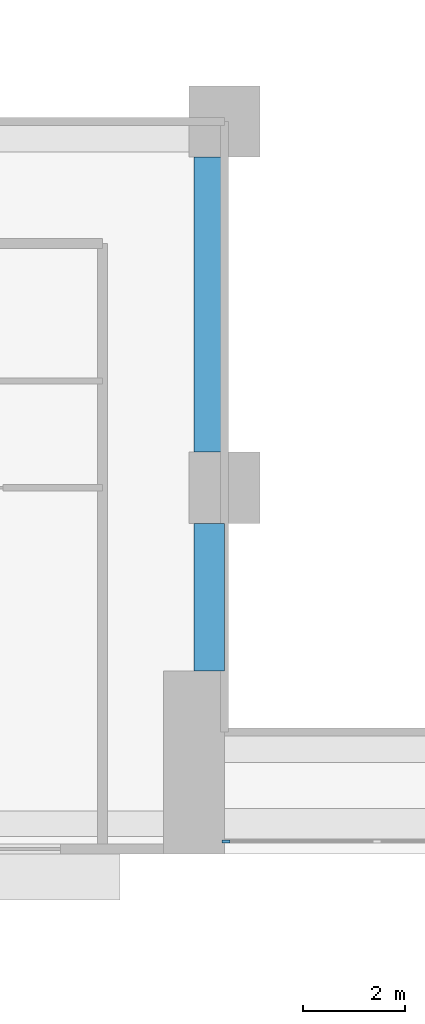
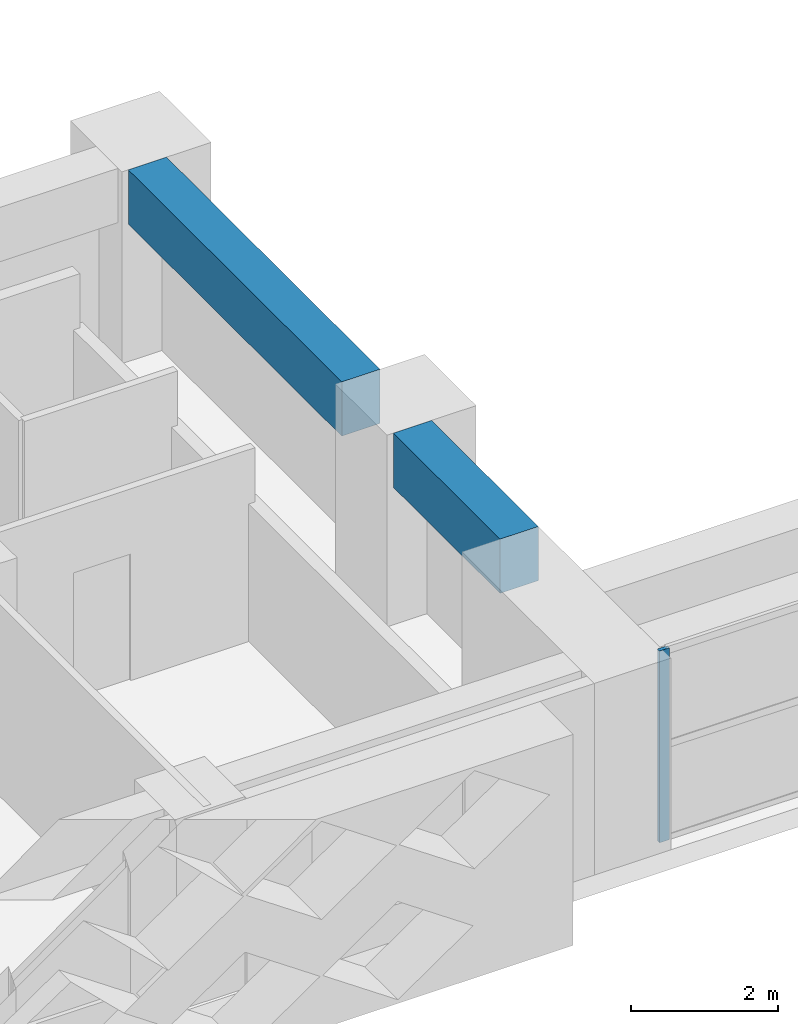
# One storey, part 2 of 16: 2 beams, 1 member, 1 element without a shape of its own.
"""IFC4 building model written with IfcOpenShell, lengths in metres."""

import ifcopenshell
import ifcopenshell.guid

model = None  # the IFC model being written
_history = None  # IfcOwnerHistory: only IFC2X3 demands one
_inside = {}  # id of a spatial element -> (the spatial element, [elements in it])
_under = {}  # id of a project, library or spatial element -> (it, [spatial elements below it])
_declared = {}  # id of a project -> (the project, [libraries it declares])
_typed = {}  # id of a type object -> (the type object, [elements of that type])
_made_of = {}  # id of a material, layer set ... -> (it, [elements and type objects made of it])


def new_model(schema):
    """Start an empty IFC model of exactly this schema.

    Asked for "IFC4X3", IfcOpenShell would pick the latest addendum, in which some entities
    have other attributes; the version numbers below select the first issue.
    IFC2X3 requires an IfcOwnerHistory on every rooted entity: one is made here for all.
    """
    global model, _history
    if schema == "IFC4X3":
        model = ifcopenshell.file(schema_version=(4, 3, 0, 0))
    else:
        model = ifcopenshell.file(schema=schema)
    _inside.clear()
    _under.clear()
    _declared.clear()
    _typed.clear()
    _made_of.clear()
    _history = None
    if model.schema == "IFC2X3":
        org = make("IfcOrganization", Name="unknown")
        user = make(
            "IfcPersonAndOrganization",
            ThePerson=make("IfcPerson", FamilyName="unknown"),
            TheOrganization=org,
        )
        app = make(
            "IfcApplication",
            ApplicationDeveloper=org,
            Version="unknown",
            ApplicationFullName="unknown",
            ApplicationIdentifier="unknown",
        )
        _history = make(
            "IfcOwnerHistory",
            OwningUser=user,
            OwningApplication=app,
            ChangeAction="ADDED",
            CreationDate=0,
        )
    return model


def make(cls, **values):
    """One entity of the class cls with the attributes given. An attribute that is None is left unset."""
    return model.create_entity(
        cls, **{name: value for name, value in values.items() if value is not None}
    )


def rooted(cls, **values):
    """An entity with a GlobalId (a new one), such as an element, a storey or a relation."""
    return make(cls, GlobalId=ifcopenshell.guid.new(), OwnerHistory=_history, **values)


def si_unit(unit_type, name, prefix=None):
    """IfcSIUnit, for example si_unit("LENGTHUNIT", "METRE", prefix="MILLI")."""
    return make("IfcSIUnit", UnitType=unit_type, Prefix=prefix, Name=name)


def assignment(units):
    """IfcUnitAssignment: the units of a project."""
    return None if units is None else make("IfcUnitAssignment", Units=units)


def point(xyz):
    """IfcCartesianPoint."""
    return None if xyz is None else make("IfcCartesianPoint", Coordinates=xyz)


def direction(xyz):
    """IfcDirection."""
    return None if xyz is None else make("IfcDirection", DirectionRatios=xyz)


def frame(location, z_axis=None, x_axis=None):
    """IfcAxis2Placement3D, a coordinate frame: its origin and axes. An axis left out is left unset."""
    return make(
        "IfcAxis2Placement3D",
        Location=point(location),
        Axis=direction(z_axis),
        RefDirection=direction(x_axis),
    )


def frame_2d(location, x_axis=None):
    """IfcAxis2Placement2D, a coordinate frame in the plane: its origin and x axis."""
    return make(
        "IfcAxis2Placement2D", Location=point(location), RefDirection=direction(x_axis)
    )


def origin():
    """The frame at (0, 0, 0) with its axes left unset."""
    return frame((0.0, 0.0, 0.0))


def origin_2d():
    """The frame at (0, 0) in the plane with its x axis left unset."""
    return frame_2d((0.0, 0.0))


def place(relative_to, where):
    """IfcLocalPlacement: puts the frame where relative to a parent placement (None: the world)."""
    return make(
        "IfcLocalPlacement", PlacementRelTo=relative_to, RelativePlacement=where
    )


def context(
    kind, dimensions, precision=None, world=None, true_north=None, identifier=None
):
    """IfcGeometricRepresentationContext, for example the 3D "Model" context."""
    return make(
        "IfcGeometricRepresentationContext",
        ContextIdentifier=identifier,
        ContextType=kind,
        CoordinateSpaceDimension=dimensions,
        Precision=precision,
        WorldCoordinateSystem=world,
        TrueNorth=true_north,
    )


def subcontext(parent, identifier, kind, view, scale=None):
    """IfcGeometricRepresentationSubContext, for example "Body" below "Model"."""
    return make(
        "IfcGeometricRepresentationSubContext",
        ContextIdentifier=identifier,
        ContextType=kind,
        ParentContext=parent,
        TargetScale=scale,
        TargetView=view,
    )


def project(units=None, contexts=None):
    """IfcProject with its units and contexts."""
    return rooted(
        "IfcProject",
        Name="project",
        RepresentationContexts=contexts,
        UnitsInContext=assignment(units),
    )


def spatial(cls, under=None, at=None, **own):
    """A site, building, storey or space (cls), placed at a placement, below another one or the project."""
    s = rooted(cls, ObjectPlacement=at, **own)
    if under is not None:
        _under.setdefault(under.id(), (under, []))[1].append(s)
    return s


def profile(cls, at=None, kind="AREA", **sizes):
    """A parametric profile (cls). Its sizes go by their IFC names, for example OverallWidth=200.0."""
    return make(cls, ProfileType=kind, Position=at, **sizes)


def rectangle(**sizes):
    """IfcRectangleProfileDef."""
    return profile("IfcRectangleProfileDef", **sizes)


def extrude(swept, where, along, depth):
    """IfcExtrudedAreaSolid: the profile swept, set in the frame where, extruded along a direction by depth."""
    return make(
        "IfcExtrudedAreaSolid",
        SweptArea=swept,
        Position=where,
        ExtrudedDirection=direction(along),
        Depth=depth,
    )


def shape(context_of_items, identifier, shape_type, items):
    """IfcShapeRepresentation: the items that make up one representation, for example the "Body"."""
    return make(
        "IfcShapeRepresentation",
        ContextOfItems=context_of_items,
        RepresentationIdentifier=identifier,
        RepresentationType=shape_type,
        Items=items,
    )


def source(mapping_origin, context_of_items, identifier, shape_type, items):
    """IfcRepresentationMap: a shape defined once, which mapped items show again and again."""
    return make(
        "IfcRepresentationMap",
        MappingOrigin=mapping_origin,
        MappedRepresentation=shape(context_of_items, identifier, shape_type, items),
    )


def transform(
    local_origin,
    x_axis=None,
    y_axis=None,
    z_axis=None,
    scale=None,
    scale2=None,
    scale3=None,
    uniform=True,
):
    """IfcCartesianTransformationOperator3D, or its non-uniform kind. x_axis, y_axis, z_axis: its Axis1, 2, 3."""
    if uniform:
        return make(
            "IfcCartesianTransformationOperator3D",
            Axis1=direction(x_axis),
            Axis2=direction(y_axis),
            LocalOrigin=point(local_origin),
            Scale=scale,
            Axis3=direction(z_axis),
        )
    return make(
        "IfcCartesianTransformationOperator3DnonUniform",
        Axis1=direction(x_axis),
        Axis2=direction(y_axis),
        LocalOrigin=point(local_origin),
        Scale=scale,
        Axis3=direction(z_axis),
        Scale2=scale2,
        Scale3=scale3,
    )


def mapped(mapping_source, mapping_target):
    """IfcMappedItem: shows the shape of a source again, moved by a transform."""
    return make(
        "IfcMappedItem", MappingSource=mapping_source, MappingTarget=mapping_target
    )


def material(Name=None, Category=None):
    """IfcMaterial."""
    return make("IfcMaterial", Name=Name, Category=Category)


def layer(
    of_material, thickness, ventilated=None, Name=None, Category=None, Priority=None
):
    """IfcMaterialLayer: one layer of a wall or slab, of a material (None: an air gap)."""
    return make(
        "IfcMaterialLayer",
        Material=of_material,
        LayerThickness=thickness,
        IsVentilated=ventilated,
        Name=Name,
        Category=Category,
        Priority=Priority,
    )


def layer_set(layers, Name=None):
    """IfcMaterialLayerSet."""
    return make("IfcMaterialLayerSet", MaterialLayers=layers, LayerSetName=Name)


def material_profile(
    of_material, cross_section, Name=None, Category=None, Priority=None
):
    """IfcMaterialProfile: a cross section and its material."""
    return make(
        "IfcMaterialProfile",
        Name=Name,
        Material=of_material,
        Profile=cross_section,
        Priority=Priority,
        Category=Category,
    )


def profile_set(profiles, Name=None, composite=None):
    """IfcMaterialProfileSet."""
    return make(
        "IfcMaterialProfileSet",
        Name=Name,
        MaterialProfiles=profiles,
        CompositeProfile=composite,
    )


def made_of(thing, what):
    """Note that an element or type object is made of a material, layer set ...; save() writes the relation."""
    if what is not None:
        _made_of.setdefault(what.id(), (what, []))[1].append(thing)
    return thing


def type_object(cls, material=None, **own):
    """A type object (cls), such as IfcWallType, which elements share."""
    return made_of(rooted(cls, **own), material)


def element(
    cls,
    number,
    at=None,
    inside=None,
    cuts=None,
    type_object=None,
    material=None,
    context=None,
    identifier="Body",
    shape_type=None,
    held_by="IfcProductDefinitionShape",
    body=None,
    shapes=None,
    **own,
):
    """One element of the class cls, such as IfcWall. Its Tag is "e" and its number.

    at: its placement. inside: the storey or other place that contains it. cuts: it is an
    opening in that element (IfcRelVoidsElement). A single representation is given by context,
    identifier, shape_type and body (its items); several are given by shapes. held_by: the class
    of the entity that holds the representations. save() writes the other relations.
    """
    e = rooted(cls, Tag="e%d" % number, ObjectPlacement=at, **own)
    if body is not None:
        shapes = [shape(context, identifier, shape_type, body)]
    if shapes is not None:
        e.Representation = make(held_by, Representations=shapes)
    if inside is not None:
        _inside.setdefault(inside.id(), (inside, []))[1].append(e)
    if cuts is not None:
        rooted(
            "IfcRelVoidsElement", RelatingBuildingElement=cuts, RelatedOpeningElement=e
        )
    if type_object is not None:
        _typed.setdefault(type_object.id(), (type_object, []))[1].append(e)
    return made_of(e, material)


def aggregate(whole, parts):
    """IfcRelAggregates: a whole, such as a stair, and the parts it consists of."""
    return rooted("IfcRelAggregates", RelatingObject=whole, RelatedObjects=parts)


def save(model, path):
    """Write the relations noted so far, then the file.

    IfcRelAggregates (storeys below a building ...), IfcRelContainedInSpatialStructure (elements
    in a storey), IfcRelDefinesByType, IfcRelAssociatesMaterial and IfcRelDeclares: one each for
    every whole, place, type object, material and project.
    """
    for whole, parts in _under.values():
        aggregate(whole, parts)
    for where, things in _inside.values():
        rooted(
            "IfcRelContainedInSpatialStructure",
            RelatedElements=things,
            RelatingStructure=where,
        )
    for kind, things in _typed.values():
        rooted("IfcRelDefinesByType", RelatedObjects=things, RelatingType=kind)
    for what, things in _made_of.values():
        rooted("IfcRelAssociatesMaterial", RelatedObjects=things, RelatingMaterial=what)
    for by, libraries in _declared.values():
        rooted("IfcRelDeclares", RelatingContext=by, RelatedDefinitions=libraries)
    model.write(path)


model = new_model("IFC4")

# Units and contexts
model_context = context("Model", 3, precision=1e-05, world=origin(), true_north=direction((0.0, 1.0)))
body_context = subcontext(model_context, "Body", "Model", "MODEL_VIEW")
ifc_project = project(units=[si_unit("LENGTHUNIT", "METRE"), si_unit("AREAUNIT", "SQUARE_METRE"), si_unit("VOLUMEUNIT", "CUBIC_METRE"), si_unit("PLANEANGLEUNIT", "RADIAN"), si_unit("MASSUNIT", "GRAM", prefix="KILO")], contexts=[model_context])

# Site, building, storey
site_placement = place(None, origin())
site = spatial("IfcSite", under=ifc_project, at=site_placement, CompositionType="ELEMENT")
building_placement = place(site_placement, origin())
building = spatial("IfcBuilding", under=site, at=building_placement, Name="Saffron Iwan Residences", CompositionType="ELEMENT")
storey_placement = place(building_placement, frame((0.0, 0.0, 48.0)))
storey = spatial("IfcBuildingStorey", under=building, at=storey_placement, Name="L11", CompositionType="ELEMENT", Elevation=48.0)

# Beams
ifc_material_1 = material(Name="Concrete C60/75", Category="concrete")
ifc_material_profile_1 = material_profile(ifc_material_1, rectangle(XDim=0.60009765625, YDim=0.89990234375, at=origin_2d()), Name="RC 600x900")
ifc_profile_set_1 = profile_set([ifc_material_profile_1], Name="Concrete C60/75")
beam_type = type_object("IfcBeamType", Name="BEAM RC 600x900 C60/75 TOP 3180", PredefinedType="BEAM", material=ifc_profile_set_1)
shared_shape_1 = source(origin(), body_context, "Body", "SweptSolid", [
    extrude(rectangle(XDim=0.60009765625, YDim=0.89990234375, at=origin_2d()), origin(), (0.0, 0.0, 1.0), 2.900146484375),
])
beam_1_placement = place(storey_placement, frame((42.89990234375, 37.199951171875, 2.72998046875), z_axis=(0.0, 1.0, 0.0), x_axis=(-1.0, 0.0, 0.0)))
element("IfcBeam", 1, at=beam_1_placement, inside=storey, type_object=beam_type, Name="Atrium edge beam", PredefinedType="BEAM", context=body_context, shape_type="MappedRepresentation", body=[
    mapped(shared_shape_1, transform((0.0, 0.0, 0.0))),
])
shared_shape_2 = source(origin(), body_context, "Body", "SweptSolid", [
    extrude(rectangle(XDim=0.60009765625, YDim=0.89990234375, at=origin_2d()), origin(), (0.0, 0.0, 1.0), 5.800048828125),
])
beam_2_placement = place(storey_placement, frame((42.89990234375, 41.5, 2.72998046875), z_axis=(0.0, 1.0, 0.0), x_axis=(-1.0, 0.0, 0.0)))
element("IfcBeam", 2, at=beam_2_placement, inside=storey, type_object=beam_type, Name="Atrium edge beam", PredefinedType="BEAM", context=body_context, shape_type="MappedRepresentation", body=[
    mapped(shared_shape_2, transform((0.0, 0.0, 0.0))),
])

# Curtain wall, member
ifc_material_2 = material(Name="Clear glass, laminated double glazed", Category="glass")
ifc_layer = layer(ifc_material_2, 0.199951171875)
ifc_layer_set = layer_set([ifc_layer], Name="Clear glass, laminated double glazed")
curtain_wall_type = type_object("IfcCurtainWallType", Name="CW-B IWAN PORTAL", PredefinedType="NOTDEFINED", material=ifc_layer_set)
curtain_wall_placement = place(storey_placement, origin())
curtain_wall = element("IfcCurtainWall", 3, at=curtain_wall_placement, inside=storey, type_object=curtain_wall_type, Name="Iwan portal glazing L11.1", PredefinedType="NOTDEFINED")
ifc_material_3 = material(Name="Aluminium 6063-T6", Category="aluminium")
ifc_material_profile_2 = material_profile(ifc_material_3, rectangle(XDim=0.06005859375, YDim=0.159912109375, at=origin_2d()), Name="CW-B MULLION 60 x 160")
ifc_profile_set_2 = profile_set([ifc_material_profile_2], Name="Aluminium 6063-T6")
member_type = type_object("IfcMemberType", Name="CW-B MULLION 60 x 160", PredefinedType="MULLION", material=ifc_profile_set_2)
shared_shape_3 = source(origin(), body_context, "Body", "SweptSolid", [
    extrude(rectangle(XDim=0.06005859375, YDim=0.159912109375, at=origin_2d()), origin(), (0.0, 0.0, 1.0), 3.179931640625),
])
member_placement = place(storey_placement, frame((43.22998046875, 33.85009765625, 0.0), z_axis=(0.0, 0.0, 1.0), x_axis=(0.0, 1.0, 0.0)))
member = element("IfcMember", 4, at=member_placement, type_object=member_type, Name="CW-B mullion 1", PredefinedType="MULLION", context=body_context, shape_type="MappedRepresentation", body=[
    mapped(shared_shape_3, transform((0.0, 0.0, 0.0))),
])
aggregate(curtain_wall, [member])

save(model, "model.ifc")
